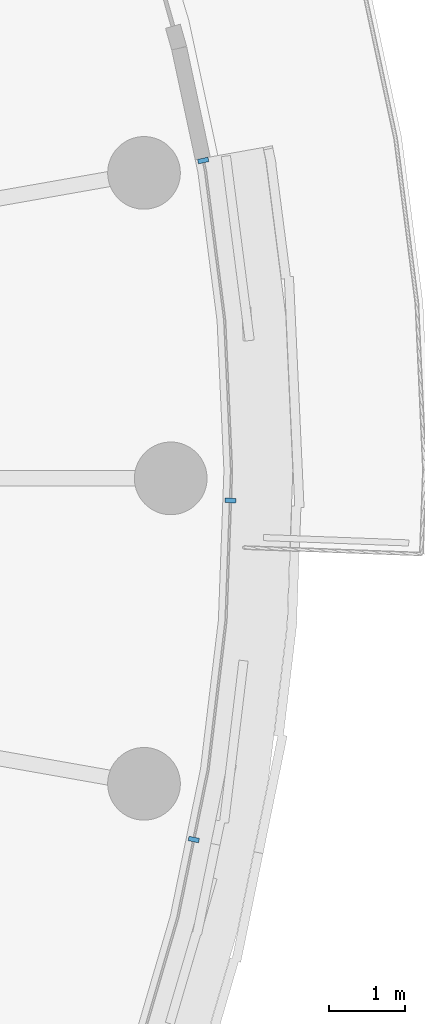
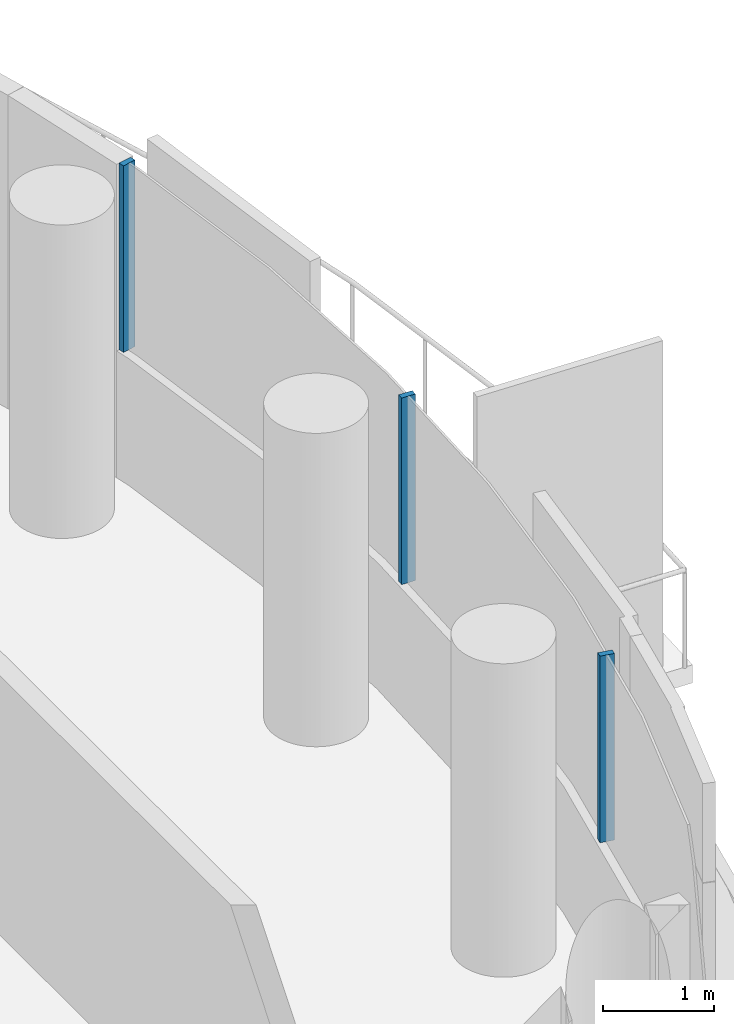
# One storey, part 12 of 30: 3 members, 1 element without a shape of its own.
"""IFC4 building model written with IfcOpenShell, lengths in metres."""

from ifc_helpers import new_model, si_unit, direction, frame, origin, origin_2d, place, context, subcontext, project, spatial, rectangle, extrude, material, layer, layer_set, material_profile, profile_set, type_object, element, aggregate, save


model = new_model("IFC4")

# Units and contexts
model_context = context("Model", 3, precision=1e-05, world=origin(), true_north=direction((0.0, 1.0)))
body_context = subcontext(model_context, "Body", "Model", "MODEL_VIEW")
ifc_project = project(units=[si_unit("LENGTHUNIT", "METRE"), si_unit("AREAUNIT", "SQUARE_METRE"), si_unit("VOLUMEUNIT", "CUBIC_METRE"), si_unit("PLANEANGLEUNIT", "RADIAN"), si_unit("MASSUNIT", "GRAM", prefix="KILO")], contexts=[model_context])

# Site, building, storey
site_placement = place(None, origin())
site = spatial("IfcSite", under=ifc_project, at=site_placement, CompositionType="ELEMENT")
building_placement = place(site_placement, origin())
building = spatial("IfcBuilding", under=site, at=building_placement, Name="Tamarind Cross Interchange Tower", CompositionType="ELEMENT")
storey_placement = place(building_placement, frame((0.0, 0.0, 204.10009765625)))
storey = spatial("IfcBuildingStorey", under=building, at=storey_placement, Name="L51", CompositionType="ELEMENT", Elevation=204.10009765625)

# Curtain wall, members
ifc_material = material(Name="Aluminium 6063-T6", Category="aluminium")
ifc_layer = layer(ifc_material, 0.139892578125)
ifc_layer_set = layer_set([ifc_layer], Name="Aluminium 6063-T6")
curtain_wall_type = type_object("IfcCurtainWallType", Name="Hotel curtain wall, 4.5 m bays", PredefinedType="NOTDEFINED", material=ifc_layer_set)
curtain_wall_placement = place(storey_placement, origin())
curtain_wall = element("IfcCurtainWall", 1, at=curtain_wall_placement, inside=storey, type_object=curtain_wall_type, Name="CWS-L51-06", PredefinedType="NOTDEFINED")
ifc_material_profile = material_profile(ifc_material, rectangle(XDim=0.06005859375, YDim=0.139892578125, at=origin_2d()), Name="Mullion CW2")
ifc_profile_set = profile_set([ifc_material_profile], Name="Aluminium 6063-T6")
member_type = type_object("IfcMemberType", Name="Mullion CW2", PredefinedType="MULLION", material=ifc_profile_set)
member_1_placement = place(storey_placement, frame((23.3017578125, -4.722412109375, 1.39990234375), z_axis=(0.0, 0.0, 1.0), x_axis=(0.201001463943, 0.9795909409, 0.0)))
member_1 = element("IfcMember", 2, at=member_1_placement, type_object=member_type, Name="CWM-L51-06-05", PredefinedType="MULLION", context=body_context, shape_type="SweptSolid", body=[
    extrude(rectangle(XDim=0.06005859375, YDim=0.139892578125, at=origin_2d()), origin(), (0.0, 0.0, 1.0), 2.06005859375),
])
member_2_placement = place(storey_placement, frame((23.781005859375, -0.289306640625, 1.39990234375), z_axis=(0.0, 0.0, 1.0), x_axis=(0.037024696392, 0.999314350871, 0.0)))
member_2 = element("IfcMember", 3, at=member_2_placement, type_object=member_type, Name="CWM-L51-06-06", PredefinedType="MULLION", context=body_context, shape_type="SweptSolid", body=[
    extrude(rectangle(XDim=0.06005859375, YDim=0.139892578125, at=origin_2d()), origin(), (0.0, 0.0, 1.0), 2.06005859375),
])
member_3_placement = place(storey_placement, frame((23.424560546875, 4.15576171875, 1.39990234375), z_axis=(0.0, 0.0, 1.0), x_axis=(-0.209425419705, 0.977824623121, 0.0)))
member_3 = element("IfcMember", 4, at=member_3_placement, type_object=member_type, Name="CWM-L51-06-07", PredefinedType="MULLION", context=body_context, shape_type="SweptSolid", body=[
    extrude(rectangle(XDim=0.06005859375, YDim=0.139892578125, at=origin_2d()), origin(), (0.0, 0.0, 1.0), 2.06005859375),
])
aggregate(curtain_wall, [member_1, member_2, member_3])

save(model, "model.ifc")
